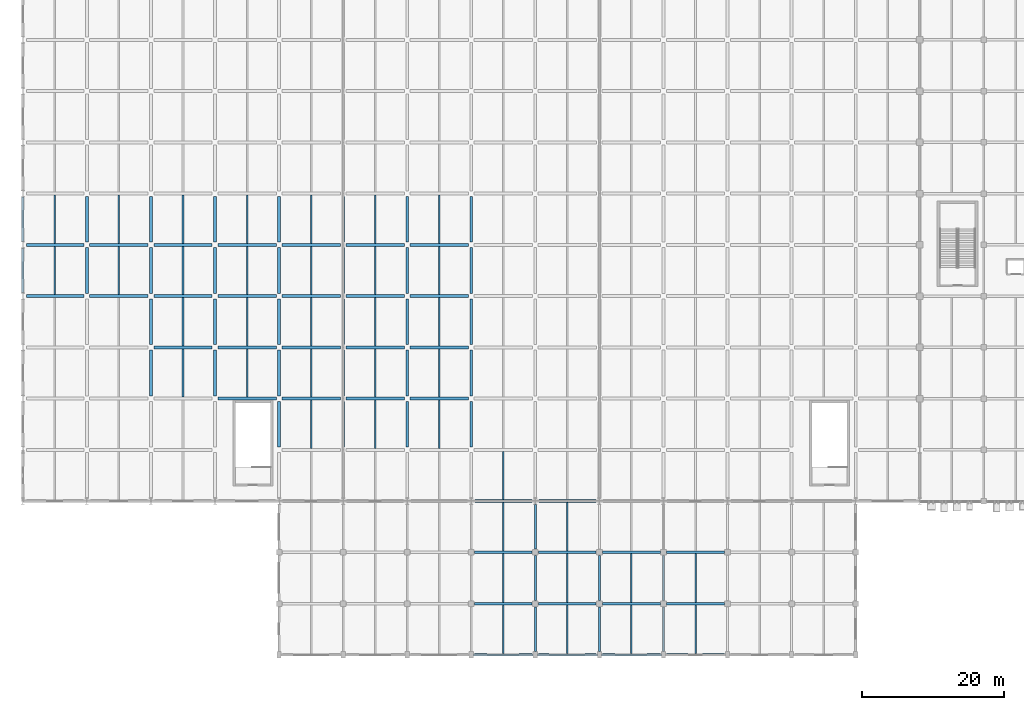
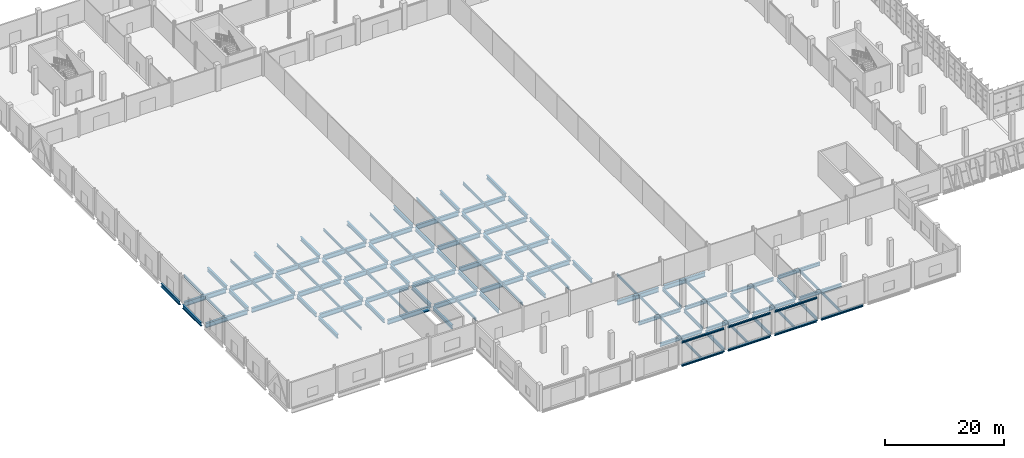
# One storey, part 18 of 137: 117 beams.
"""IFC4 building model written with IfcOpenShell, lengths in metres."""

from ifc_helpers import new_model, si_unit, direction, frame, origin, origin_2d, place, context, subcontext, project, spatial, i_section, extrude, material, material_profile, profile_set, type_object, element, save


model = new_model("IFC4")

# Units and contexts
model_context = context("Model", 3, precision=1e-05, world=origin(), true_north=direction((0.0, 1.0)))
body_context = subcontext(model_context, "Body", "Model", "MODEL_VIEW")
ifc_project = project(units=[si_unit("LENGTHUNIT", "METRE"), si_unit("AREAUNIT", "SQUARE_METRE"), si_unit("VOLUMEUNIT", "CUBIC_METRE"), si_unit("PLANEANGLEUNIT", "RADIAN"), si_unit("MASSUNIT", "GRAM", prefix="KILO")], contexts=[model_context])

# Site, building, storey
site_placement = place(None, origin())
site = spatial("IfcSite", under=ifc_project, at=site_placement, CompositionType="ELEMENT")
building_placement = place(site_placement, origin())
building = spatial("IfcBuilding", under=site, at=building_placement, Name="Celestram Park Convention Centre", CompositionType="ELEMENT")
storey_placement = place(building_placement, origin())
storey = spatial("IfcBuildingStorey", under=building, at=storey_placement, Name="L00", CompositionType="ELEMENT", Elevation=0.0)

# Beams
ifc_material = material(Name="Steel ASTM A992 Grade 50", Category="steel")
ifc_material_profile_1 = material_profile(ifc_material, i_section(OverallWidth=0.35595703125, OverallDepth=0.696044921875, WebThickness=0.015380859375, FlangeThickness=0.02490234375, at=origin_2d()), Name="W27X146")
ifc_profile_set_1 = profile_set([ifc_material_profile_1], Name="Steel ASTM A992 Grade 50")
beam_type_1 = type_object("IfcBeamType", Name="STR-BM-W27X146", PredefinedType="BEAM", material=ifc_profile_set_1)
for number, where, z_axis, x_axis, name in (
    (1, (63.447998046875, 7.199951171875, -0.66796875), (1.0, 0.0, 0.0), (0.0, 1.0, 0.0), "Primary X-girder BG-L00-0271"),
    (2, (63.447998046875, 14.39990234375, -0.66796875), (1.0, 0.0, 0.0), (0.0, 1.0, 0.0), "Primary X-girder BG-L00-0273"),
    (3, (72.447998046875, 7.199951171875, -0.66796875), (1.0, 0.0, 0.0), (0.0, 1.0, 0.0), "Primary X-girder BG-L00-0316"),
    (4, (72.447998046875, 14.39990234375, -0.66796875), (1.0, 0.0, 0.0), (0.0, 1.0, 0.0), "Primary X-girder BG-L00-0318"),
    (5, (81.447998046875, 7.199951171875, -0.66796875), (1.0, 0.0, 0.0), (0.0, 1.0, 0.0), "Primary X-girder BG-L00-0363"),
    (6, (81.447998046875, 14.39990234375, -0.66796875), (1.0, 0.0, 0.0), (0.0, 1.0, 0.0), "Primary X-girder BG-L00-0365"),
    (7, (90.447998046875, 7.199951171875, -0.66796875), (1.0, 0.0, 0.0), (0.0, 1.0, 0.0), "Primary X-girder BG-L00-0408"),
    (8, (90.447998046875, 14.39990234375, -0.66796875), (1.0, 0.0, 0.0), (0.0, 1.0, 0.0), "Primary X-girder BG-L00-0410"),
):
    element("IfcBeam", number, at=place(storey_placement, frame(where, z_axis=z_axis, x_axis=x_axis)), inside=storey, type_object=beam_type_1, Name=name, PredefinedType="BEAM", context=body_context, shape_type="SweptSolid", body=[
        extrude(i_section(OverallWidth=0.35595703125, OverallDepth=0.696044921875, WebThickness=0.015380859375, FlangeThickness=0.02490234375, at=origin_2d()), origin(), (0.0, 0.0, 1.0), 8.10400390625),
    ])
ifc_material_profile_2 = material_profile(ifc_material, i_section(OverallWidth=0.25390625, OverallDepth=0.68310546875, WebThickness=0.012451171875, FlangeThickness=0.01904296875, at=origin_2d()), Name="W27X94")
ifc_profile_set_2 = profile_set([ifc_material_profile_2], Name="Steel ASTM A992 Grade 50")
beam_type_2 = type_object("IfcBeamType", Name="STR-BM-W27X94", PredefinedType="BEAM", material=ifc_profile_set_2)
for number, where, z_axis, x_axis, name in (
    (9, (72.0, 0.447998046875, -0.66162109375), (0.0, 1.0, 0.0), (-1.0, 0.0, 0.0), "Primary Y-girder BG-L00-0315"),
    (10, (72.0, 7.64794921875, -0.66162109375), (0.0, 1.0, 0.0), (-1.0, 0.0, 0.0), "Primary Y-girder BG-L00-0317"),
):
    element("IfcBeam", number, at=place(storey_placement, frame(where, z_axis=z_axis, x_axis=x_axis)), inside=storey, type_object=beam_type_2, Name=name, PredefinedType="BEAM", context=body_context, shape_type="SweptSolid", body=[
        extrude(i_section(OverallWidth=0.25390625, OverallDepth=0.68310546875, WebThickness=0.012451171875, FlangeThickness=0.01904296875, at=origin_2d()), origin(), (0.0, 0.0, 1.0), 6.303955078125),
    ])
beam_1_placement = place(storey_placement, frame((72.0, 14.847900390625, -0.66162109375), z_axis=(0.0, 1.0, 0.0), x_axis=(-1.0, 0.0, 0.0)))
element("IfcBeam", 11, at=beam_1_placement, inside=storey, type_object=beam_type_2, Name="Primary Y-girder BG-L00-0319", PredefinedType="BEAM", context=body_context, shape_type="SweptSolid", body=[
    extrude(i_section(OverallWidth=0.25390625, OverallDepth=0.68310546875, WebThickness=0.012451171875, FlangeThickness=0.01904296875, at=origin_2d()), origin(), (0.0, 0.0, 1.0), 6.254150390625),
])
for number, where, z_axis, x_axis, name in (
    (12, (81.0, 0.447998046875, -0.66162109375), (0.0, 1.0, 0.0), (-1.0, 0.0, 0.0), "Primary Y-girder BG-L00-0362"),
    (13, (81.0, 7.64794921875, -0.66162109375), (0.0, 1.0, 0.0), (-1.0, 0.0, 0.0), "Primary Y-girder BG-L00-0364"),
    (14, (90.0, 0.447998046875, -0.66162109375), (0.0, 1.0, 0.0), (-1.0, 0.0, 0.0), "Primary Y-girder BG-L00-0407"),
    (15, (90.0, 7.64794921875, -0.66162109375), (0.0, 1.0, 0.0), (-1.0, 0.0, 0.0), "Primary Y-girder BG-L00-0409"),
):
    element("IfcBeam", number, at=place(storey_placement, frame(where, z_axis=z_axis, x_axis=x_axis)), inside=storey, type_object=beam_type_2, Name=name, PredefinedType="BEAM", context=body_context, shape_type="SweptSolid", body=[
        extrude(i_section(OverallWidth=0.25390625, OverallDepth=0.68310546875, WebThickness=0.012451171875, FlangeThickness=0.01904296875, at=origin_2d()), origin(), (0.0, 0.0, 1.0), 6.303955078125),
    ])
ifc_material_profile_3 = material_profile(ifc_material, i_section(OverallWidth=0.381103515625, OverallDepth=0.77197265625, WebThickness=0.0166015625, FlangeThickness=0.027099609375, at=origin_2d()), Name="W30X173")
ifc_profile_set_3 = profile_set([ifc_material_profile_3], Name="Steel ASTM A992 Grade 50")
beam_type_3 = type_object("IfcBeamType", Name="STR-BM-W30X173", PredefinedType="BEAM", material=ifc_profile_set_3)
for number, where, z_axis, x_axis, name in (
    (16, (0.0, 50.89794921875, -0.74609375), (0.0, 1.0, 0.0), (-1.0, 0.0, 0.0), "Primary Y-girder BG-L00-0010"),
    (17, (0.0, 58.097900390625, -0.74609375), (0.0, 1.0, 0.0), (-1.0, 0.0, 0.0), "Primary Y-girder BG-L00-0012"),
):
    element("IfcBeam", number, at=place(storey_placement, frame(where, z_axis=z_axis, x_axis=x_axis)), inside=storey, type_object=beam_type_3, Name=name, PredefinedType="BEAM", context=body_context, shape_type="SweptSolid", body=[
        extrude(i_section(OverallWidth=0.381103515625, OverallDepth=0.77197265625, WebThickness=0.0166015625, FlangeThickness=0.027099609375, at=origin_2d()), origin(), (0.0, 0.0, 1.0), 6.2041015625),
    ])
beam_2_placement = place(storey_placement, frame((9.0, 50.798095703125, -0.74609375), z_axis=(0.0, 1.0, 0.0), x_axis=(-1.0, 0.0, 0.0)))
element("IfcBeam", 18, at=beam_2_placement, inside=storey, type_object=beam_type_3, Name="Primary Y-girder BG-L00-0043", PredefinedType="BEAM", context=body_context, shape_type="SweptSolid", body=[
    extrude(i_section(OverallWidth=0.381103515625, OverallDepth=0.77197265625, WebThickness=0.0166015625, FlangeThickness=0.027099609375, at=origin_2d()), origin(), (0.0, 0.0, 1.0), 6.40380859375),
])
for number, where, z_axis, x_axis, name in (
    (19, (9.0, 57.998046875, -0.74609375), (0.0, 1.0, 0.0), (-1.0, 0.0, 0.0), "Primary Y-girder BG-L00-0045"),
    (20, (18.0, 36.39794921875, -0.74609375), (0.0, 1.0, 0.0), (-1.0, 0.0, 0.0), "Primary Y-girder BG-L00-0071"),
    (21, (18.0, 43.597900390625, -0.74609375), (0.0, 1.0, 0.0), (-1.0, 0.0, 0.0), "Primary Y-girder BG-L00-0073"),
):
    element("IfcBeam", number, at=place(storey_placement, frame(where, z_axis=z_axis, x_axis=x_axis)), inside=storey, type_object=beam_type_3, Name=name, PredefinedType="BEAM", context=body_context, shape_type="SweptSolid", body=[
        extrude(i_section(OverallWidth=0.381103515625, OverallDepth=0.77197265625, WebThickness=0.0166015625, FlangeThickness=0.027099609375, at=origin_2d()), origin(), (0.0, 0.0, 1.0), 6.404052734375),
    ])
beam_3_placement = place(storey_placement, frame((18.0, 50.798095703125, -0.74609375), z_axis=(0.0, 1.0, 0.0), x_axis=(-1.0, 0.0, 0.0)))
element("IfcBeam", 22, at=beam_3_placement, inside=storey, type_object=beam_type_3, Name="Primary Y-girder BG-L00-0075", PredefinedType="BEAM", context=body_context, shape_type="SweptSolid", body=[
    extrude(i_section(OverallWidth=0.381103515625, OverallDepth=0.77197265625, WebThickness=0.0166015625, FlangeThickness=0.027099609375, at=origin_2d()), origin(), (0.0, 0.0, 1.0), 6.40380859375),
])
for number, where, z_axis, x_axis, name in (
    (23, (18.0, 57.998046875, -0.74609375), (0.0, 1.0, 0.0), (-1.0, 0.0, 0.0), "Primary Y-girder BG-L00-0077"),
    (24, (27.0, 36.39794921875, -0.74609375), (0.0, 1.0, 0.0), (-1.0, 0.0, 0.0), "Primary Y-girder BG-L00-0103"),
    (25, (27.0, 43.597900390625, -0.74609375), (0.0, 1.0, 0.0), (-1.0, 0.0, 0.0), "Primary Y-girder BG-L00-0105"),
):
    element("IfcBeam", number, at=place(storey_placement, frame(where, z_axis=z_axis, x_axis=x_axis)), inside=storey, type_object=beam_type_3, Name=name, PredefinedType="BEAM", context=body_context, shape_type="SweptSolid", body=[
        extrude(i_section(OverallWidth=0.381103515625, OverallDepth=0.77197265625, WebThickness=0.0166015625, FlangeThickness=0.027099609375, at=origin_2d()), origin(), (0.0, 0.0, 1.0), 6.404052734375),
    ])
beam_4_placement = place(storey_placement, frame((27.0, 50.798095703125, -0.74609375), z_axis=(0.0, 1.0, 0.0), x_axis=(-1.0, 0.0, 0.0)))
element("IfcBeam", 26, at=beam_4_placement, inside=storey, type_object=beam_type_3, Name="Primary Y-girder BG-L00-0107", PredefinedType="BEAM", context=body_context, shape_type="SweptSolid", body=[
    extrude(i_section(OverallWidth=0.381103515625, OverallDepth=0.77197265625, WebThickness=0.0166015625, FlangeThickness=0.027099609375, at=origin_2d()), origin(), (0.0, 0.0, 1.0), 6.40380859375),
])
for number, where, z_axis, x_axis, name in (
    (27, (27.0, 57.998046875, -0.74609375), (0.0, 1.0, 0.0), (-1.0, 0.0, 0.0), "Primary Y-girder BG-L00-0109"),
    (28, (36.0, 29.197998046875, -0.74609375), (0.0, 1.0, 0.0), (-1.0, 0.0, 0.0), "Primary Y-girder BG-L00-0140"),
    (29, (36.0, 36.39794921875, -0.74609375), (0.0, 1.0, 0.0), (-1.0, 0.0, 0.0), "Primary Y-girder BG-L00-0142"),
    (30, (36.0, 43.597900390625, -0.74609375), (0.0, 1.0, 0.0), (-1.0, 0.0, 0.0), "Primary Y-girder BG-L00-0144"),
):
    element("IfcBeam", number, at=place(storey_placement, frame(where, z_axis=z_axis, x_axis=x_axis)), inside=storey, type_object=beam_type_3, Name=name, PredefinedType="BEAM", context=body_context, shape_type="SweptSolid", body=[
        extrude(i_section(OverallWidth=0.381103515625, OverallDepth=0.77197265625, WebThickness=0.0166015625, FlangeThickness=0.027099609375, at=origin_2d()), origin(), (0.0, 0.0, 1.0), 6.404052734375),
    ])
beam_5_placement = place(storey_placement, frame((36.0, 50.798095703125, -0.74609375), z_axis=(0.0, 1.0, 0.0), x_axis=(-1.0, 0.0, 0.0)))
element("IfcBeam", 31, at=beam_5_placement, inside=storey, type_object=beam_type_3, Name="Primary Y-girder BG-L00-0146", PredefinedType="BEAM", context=body_context, shape_type="SweptSolid", body=[
    extrude(i_section(OverallWidth=0.381103515625, OverallDepth=0.77197265625, WebThickness=0.0166015625, FlangeThickness=0.027099609375, at=origin_2d()), origin(), (0.0, 0.0, 1.0), 6.40380859375),
])
for number, where, z_axis, x_axis, name in (
    (32, (36.0, 57.998046875, -0.74609375), (0.0, 1.0, 0.0), (-1.0, 0.0, 0.0), "Primary Y-girder BG-L00-0148"),
    (33, (45.0, 29.197998046875, -0.74609375), (0.0, 1.0, 0.0), (-1.0, 0.0, 0.0), "Primary Y-girder BG-L00-0184"),
    (34, (45.0, 36.39794921875, -0.74609375), (0.0, 1.0, 0.0), (-1.0, 0.0, 0.0), "Primary Y-girder BG-L00-0186"),
    (35, (45.0, 43.597900390625, -0.74609375), (0.0, 1.0, 0.0), (-1.0, 0.0, 0.0), "Primary Y-girder BG-L00-0188"),
):
    element("IfcBeam", number, at=place(storey_placement, frame(where, z_axis=z_axis, x_axis=x_axis)), inside=storey, type_object=beam_type_3, Name=name, PredefinedType="BEAM", context=body_context, shape_type="SweptSolid", body=[
        extrude(i_section(OverallWidth=0.381103515625, OverallDepth=0.77197265625, WebThickness=0.0166015625, FlangeThickness=0.027099609375, at=origin_2d()), origin(), (0.0, 0.0, 1.0), 6.404052734375),
    ])
beam_6_placement = place(storey_placement, frame((45.0, 50.798095703125, -0.74609375), z_axis=(0.0, 1.0, 0.0), x_axis=(-1.0, 0.0, 0.0)))
element("IfcBeam", 36, at=beam_6_placement, inside=storey, type_object=beam_type_3, Name="Primary Y-girder BG-L00-0190", PredefinedType="BEAM", context=body_context, shape_type="SweptSolid", body=[
    extrude(i_section(OverallWidth=0.381103515625, OverallDepth=0.77197265625, WebThickness=0.0166015625, FlangeThickness=0.027099609375, at=origin_2d()), origin(), (0.0, 0.0, 1.0), 6.40380859375),
])
for number, where, z_axis, x_axis, name in (
    (37, (45.0, 57.998046875, -0.74609375), (0.0, 1.0, 0.0), (-1.0, 0.0, 0.0), "Primary Y-girder BG-L00-0192"),
    (38, (54.0, 29.197998046875, -0.74609375), (0.0, 1.0, 0.0), (-1.0, 0.0, 0.0), "Primary Y-girder BG-L00-0231"),
    (39, (54.0, 36.39794921875, -0.74609375), (0.0, 1.0, 0.0), (-1.0, 0.0, 0.0), "Primary Y-girder BG-L00-0233"),
    (40, (54.0, 43.597900390625, -0.74609375), (0.0, 1.0, 0.0), (-1.0, 0.0, 0.0), "Primary Y-girder BG-L00-0235"),
):
    element("IfcBeam", number, at=place(storey_placement, frame(where, z_axis=z_axis, x_axis=x_axis)), inside=storey, type_object=beam_type_3, Name=name, PredefinedType="BEAM", context=body_context, shape_type="SweptSolid", body=[
        extrude(i_section(OverallWidth=0.381103515625, OverallDepth=0.77197265625, WebThickness=0.0166015625, FlangeThickness=0.027099609375, at=origin_2d()), origin(), (0.0, 0.0, 1.0), 6.404052734375),
    ])
beam_7_placement = place(storey_placement, frame((54.0, 50.798095703125, -0.74609375), z_axis=(0.0, 1.0, 0.0), x_axis=(-1.0, 0.0, 0.0)))
element("IfcBeam", 41, at=beam_7_placement, inside=storey, type_object=beam_type_3, Name="Primary Y-girder BG-L00-0237", PredefinedType="BEAM", context=body_context, shape_type="SweptSolid", body=[
    extrude(i_section(OverallWidth=0.381103515625, OverallDepth=0.77197265625, WebThickness=0.0166015625, FlangeThickness=0.027099609375, at=origin_2d()), origin(), (0.0, 0.0, 1.0), 6.40380859375),
])
for number, where, z_axis, x_axis, name in (
    (42, (54.0, 57.998046875, -0.74609375), (0.0, 1.0, 0.0), (-1.0, 0.0, 0.0), "Primary Y-girder BG-L00-0239"),
    (43, (63.0, 29.197998046875, -0.74609375), (0.0, 1.0, 0.0), (-1.0, 0.0, 0.0), "Primary Y-girder BG-L00-0278"),
    (44, (63.0, 36.39794921875, -0.74609375), (0.0, 1.0, 0.0), (-1.0, 0.0, 0.0), "Primary Y-girder BG-L00-0280"),
    (45, (63.0, 43.597900390625, -0.74609375), (0.0, 1.0, 0.0), (-1.0, 0.0, 0.0), "Primary Y-girder BG-L00-0282"),
):
    element("IfcBeam", number, at=place(storey_placement, frame(where, z_axis=z_axis, x_axis=x_axis)), inside=storey, type_object=beam_type_3, Name=name, PredefinedType="BEAM", context=body_context, shape_type="SweptSolid", body=[
        extrude(i_section(OverallWidth=0.381103515625, OverallDepth=0.77197265625, WebThickness=0.0166015625, FlangeThickness=0.027099609375, at=origin_2d()), origin(), (0.0, 0.0, 1.0), 6.404052734375),
    ])
beam_8_placement = place(storey_placement, frame((63.0, 50.798095703125, -0.74609375), z_axis=(0.0, 1.0, 0.0), x_axis=(-1.0, 0.0, 0.0)))
element("IfcBeam", 46, at=beam_8_placement, inside=storey, type_object=beam_type_3, Name="Primary Y-girder BG-L00-0284", PredefinedType="BEAM", context=body_context, shape_type="SweptSolid", body=[
    extrude(i_section(OverallWidth=0.381103515625, OverallDepth=0.77197265625, WebThickness=0.0166015625, FlangeThickness=0.027099609375, at=origin_2d()), origin(), (0.0, 0.0, 1.0), 6.40380859375),
])
beam_9_placement = place(storey_placement, frame((63.0, 57.998046875, -0.74609375), z_axis=(0.0, 1.0, 0.0), x_axis=(-1.0, 0.0, 0.0)))
element("IfcBeam", 47, at=beam_9_placement, inside=storey, type_object=beam_type_3, Name="Primary Y-girder BG-L00-0286", PredefinedType="BEAM", context=body_context, shape_type="SweptSolid", body=[
    extrude(i_section(OverallWidth=0.381103515625, OverallDepth=0.77197265625, WebThickness=0.0166015625, FlangeThickness=0.027099609375, at=origin_2d()), origin(), (0.0, 0.0, 1.0), 6.404052734375),
])
ifc_material_profile_4 = material_profile(ifc_material, i_section(OverallWidth=0.4189453125, OverallDepth=0.927001953125, WebThickness=0.019287109375, FlangeThickness=0.031982421875, at=origin_2d()), Name="W36X231")
ifc_profile_set_4 = profile_set([ifc_material_profile_4], Name="Steel ASTM A992 Grade 50")
beam_type_4 = type_object("IfcBeamType", Name="STR-BM-W36X231", PredefinedType="BEAM", material=ifc_profile_set_4)
for number, where, z_axis, x_axis, name in (
    (48, (0.498046875, 50.39990234375, -0.823486328125), (1.0, 0.0, 0.0), (0.0, 1.0, 0.0), "Primary X-girder BG-L00-0009"),
    (49, (0.498046875, 57.60009765625, -0.823486328125), (1.0, 0.0, 0.0), (0.0, 1.0, 0.0), "Primary X-girder BG-L00-0011"),
):
    element("IfcBeam", number, at=place(storey_placement, frame(where, z_axis=z_axis, x_axis=x_axis)), inside=storey, type_object=beam_type_4, Name=name, PredefinedType="BEAM", context=body_context, shape_type="SweptSolid", body=[
        extrude(i_section(OverallWidth=0.4189453125, OverallDepth=0.927001953125, WebThickness=0.019287109375, FlangeThickness=0.031982421875, at=origin_2d()), origin(), (0.0, 0.0, 1.0), 8.10400390625),
    ])
for number, where, z_axis, x_axis, name in (
    (50, (9.39794921875, 50.39990234375, -0.823486328125), (1.0, 0.0, 0.0), (0.0, 1.0, 0.0), "Primary X-girder BG-L00-0042"),
    (51, (9.39794921875, 57.60009765625, -0.823486328125), (1.0, 0.0, 0.0), (0.0, 1.0, 0.0), "Primary X-girder BG-L00-0044"),
    (52, (18.39794921875, 43.199951171875, -0.823486328125), (1.0, 0.0, 0.0), (0.0, 1.0, 0.0), "Primary X-girder BG-L00-0072"),
    (53, (18.39794921875, 50.39990234375, -0.823486328125), (1.0, 0.0, 0.0), (0.0, 1.0, 0.0), "Primary X-girder BG-L00-0074"),
    (54, (18.39794921875, 57.60009765625, -0.823486328125), (1.0, 0.0, 0.0), (0.0, 1.0, 0.0), "Primary X-girder BG-L00-0076"),
    (55, (27.39794921875, 36.0, -0.823486328125), (1.0, 0.0, 0.0), (0.0, 1.0, 0.0), "Primary X-girder BG-L00-0102"),
    (56, (27.39794921875, 43.199951171875, -0.823486328125), (1.0, 0.0, 0.0), (0.0, 1.0, 0.0), "Primary X-girder BG-L00-0104"),
    (57, (27.39794921875, 50.39990234375, -0.823486328125), (1.0, 0.0, 0.0), (0.0, 1.0, 0.0), "Primary X-girder BG-L00-0106"),
    (58, (27.39794921875, 57.60009765625, -0.823486328125), (1.0, 0.0, 0.0), (0.0, 1.0, 0.0), "Primary X-girder BG-L00-0108"),
    (59, (36.39794921875, 36.0, -0.823486328125), (1.0, 0.0, 0.0), (0.0, 1.0, 0.0), "Primary X-girder BG-L00-0141"),
    (60, (36.39794921875, 43.199951171875, -0.823486328125), (1.0, 0.0, 0.0), (0.0, 1.0, 0.0), "Primary X-girder BG-L00-0143"),
    (61, (36.39794921875, 50.39990234375, -0.823486328125), (1.0, 0.0, 0.0), (0.0, 1.0, 0.0), "Primary X-girder BG-L00-0145"),
    (62, (36.39794921875, 57.60009765625, -0.823486328125), (1.0, 0.0, 0.0), (0.0, 1.0, 0.0), "Primary X-girder BG-L00-0147"),
    (63, (45.39794921875, 36.0, -0.823486328125), (1.0, 0.0, 0.0), (0.0, 1.0, 0.0), "Primary X-girder BG-L00-0185"),
    (64, (45.39794921875, 43.199951171875, -0.823486328125), (1.0, 0.0, 0.0), (0.0, 1.0, 0.0), "Primary X-girder BG-L00-0187"),
    (65, (45.39794921875, 50.39990234375, -0.823486328125), (1.0, 0.0, 0.0), (0.0, 1.0, 0.0), "Primary X-girder BG-L00-0189"),
    (66, (45.39794921875, 57.60009765625, -0.823486328125), (1.0, 0.0, 0.0), (0.0, 1.0, 0.0), "Primary X-girder BG-L00-0191"),
    (67, (54.39794921875, 36.0, -0.823486328125), (1.0, 0.0, 0.0), (0.0, 1.0, 0.0), "Primary X-girder BG-L00-0232"),
    (68, (54.39794921875, 43.199951171875, -0.823486328125), (1.0, 0.0, 0.0), (0.0, 1.0, 0.0), "Primary X-girder BG-L00-0234"),
    (69, (54.39794921875, 50.39990234375, -0.823486328125), (1.0, 0.0, 0.0), (0.0, 1.0, 0.0), "Primary X-girder BG-L00-0236"),
    (70, (54.39794921875, 57.60009765625, -0.823486328125), (1.0, 0.0, 0.0), (0.0, 1.0, 0.0), "Primary X-girder BG-L00-0238"),
):
    element("IfcBeam", number, at=place(storey_placement, frame(where, z_axis=z_axis, x_axis=x_axis)), inside=storey, type_object=beam_type_4, Name=name, PredefinedType="BEAM", context=body_context, shape_type="SweptSolid", body=[
        extrude(i_section(OverallWidth=0.4189453125, OverallDepth=0.927001953125, WebThickness=0.019287109375, FlangeThickness=0.031982421875, at=origin_2d()), origin(), (0.0, 0.0, 1.0), 8.2041015625),
    ])
for number, where, z_axis, x_axis, name in (
    (71, (63.498046875, 21.60009765625, -0.823486328125), (1.0, 0.0, 0.0), (0.0, 1.0, 0.0), "Primary X-girder BG-L00-0275"),
    (72, (72.498046875, 21.60009765625, -0.823486328125), (1.0, 0.0, 0.0), (0.0, 1.0, 0.0), "Primary X-girder BG-L00-0320"),
):
    element("IfcBeam", number, at=place(storey_placement, frame(where, z_axis=z_axis, x_axis=x_axis)), inside=storey, type_object=beam_type_4, Name=name, PredefinedType="BEAM", context=body_context, shape_type="SweptSolid", body=[
        extrude(i_section(OverallWidth=0.4189453125, OverallDepth=0.927001953125, WebThickness=0.019287109375, FlangeThickness=0.031982421875, at=origin_2d()), origin(), (0.0, 0.0, 1.0), 8.00390625),
    ])
ifc_material_profile_5 = material_profile(ifc_material, i_section(OverallWidth=0.2099609375, OverallDepth=0.532958984375, WebThickness=0.01025390625, FlangeThickness=0.015625, at=origin_2d()), Name="W21X62")
ifc_profile_set_5 = profile_set([ifc_material_profile_5], Name="Steel ASTM A992 Grade 50")
beam_type_5 = type_object("IfcBeamType", Name="STR-JST-W21X62", PredefinedType="JOIST", material=ifc_profile_set_5)
beam_10_placement = place(storey_placement, frame((67.5, 0.181884765625, -0.58642578125), z_axis=(0.0, 1.0, 0.0), x_axis=(-1.0, 0.0, 0.0)))
element("IfcBeam", 73, at=beam_10_placement, inside=storey, type_object=beam_type_5, Name="Secondary composite joist BG-L00-1003", PredefinedType="JOIST", context=body_context, shape_type="SweptSolid", body=[
    extrude(i_section(OverallWidth=0.2099609375, OverallDepth=0.532958984375, WebThickness=0.01025390625, FlangeThickness=0.015625, at=origin_2d()), origin(), (0.0, 0.0, 1.0), 6.843994140625),
])
beam_11_placement = place(storey_placement, frame((67.5, 7.3740234375, -0.58642578125), z_axis=(0.0, 1.0, 0.0), x_axis=(-1.0, 0.0, 0.0)))
element("IfcBeam", 74, at=beam_11_placement, inside=storey, type_object=beam_type_5, Name="Secondary composite joist BG-L00-1004", PredefinedType="JOIST", context=body_context, shape_type="SweptSolid", body=[
    extrude(i_section(OverallWidth=0.2099609375, OverallDepth=0.532958984375, WebThickness=0.01025390625, FlangeThickness=0.015625, at=origin_2d()), origin(), (0.0, 0.0, 1.0), 6.85205078125),
])
beam_12_placement = place(storey_placement, frame((67.5, 14.573974609375, -0.58642578125), z_axis=(0.0, 1.0, 0.0), x_axis=(-1.0, 0.0, 0.0)))
element("IfcBeam", 75, at=beam_12_placement, inside=storey, type_object=beam_type_5, Name="Secondary composite joist BG-L00-1005", PredefinedType="JOIST", context=body_context, shape_type="SweptSolid", body=[
    extrude(i_section(OverallWidth=0.2099609375, OverallDepth=0.532958984375, WebThickness=0.01025390625, FlangeThickness=0.015625, at=origin_2d()), origin(), (0.0, 0.0, 1.0), 6.821044921875),
])
beam_13_placement = place(storey_placement, frame((76.5, 0.181884765625, -0.58642578125), z_axis=(0.0, 1.0, 0.0), x_axis=(-1.0, 0.0, 0.0)))
element("IfcBeam", 76, at=beam_13_placement, inside=storey, type_object=beam_type_5, Name="Secondary composite joist BG-L00-1023", PredefinedType="JOIST", context=body_context, shape_type="SweptSolid", body=[
    extrude(i_section(OverallWidth=0.2099609375, OverallDepth=0.532958984375, WebThickness=0.01025390625, FlangeThickness=0.015625, at=origin_2d()), origin(), (0.0, 0.0, 1.0), 6.843994140625),
])
beam_14_placement = place(storey_placement, frame((76.5, 7.3740234375, -0.58642578125), z_axis=(0.0, 1.0, 0.0), x_axis=(-1.0, 0.0, 0.0)))
element("IfcBeam", 77, at=beam_14_placement, inside=storey, type_object=beam_type_5, Name="Secondary composite joist BG-L00-1024", PredefinedType="JOIST", context=body_context, shape_type="SweptSolid", body=[
    extrude(i_section(OverallWidth=0.2099609375, OverallDepth=0.532958984375, WebThickness=0.01025390625, FlangeThickness=0.015625, at=origin_2d()), origin(), (0.0, 0.0, 1.0), 6.85205078125),
])
beam_15_placement = place(storey_placement, frame((76.5, 14.573974609375, -0.58642578125), z_axis=(0.0, 1.0, 0.0), x_axis=(-1.0, 0.0, 0.0)))
element("IfcBeam", 78, at=beam_15_placement, inside=storey, type_object=beam_type_5, Name="Secondary composite joist BG-L00-1025", PredefinedType="JOIST", context=body_context, shape_type="SweptSolid", body=[
    extrude(i_section(OverallWidth=0.2099609375, OverallDepth=0.532958984375, WebThickness=0.01025390625, FlangeThickness=0.015625, at=origin_2d()), origin(), (0.0, 0.0, 1.0), 6.821044921875),
])
beam_16_placement = place(storey_placement, frame((85.5, 0.181884765625, -0.58642578125), z_axis=(0.0, 1.0, 0.0), x_axis=(-1.0, 0.0, 0.0)))
element("IfcBeam", 79, at=beam_16_placement, inside=storey, type_object=beam_type_5, Name="Secondary composite joist BG-L00-1046", PredefinedType="JOIST", context=body_context, shape_type="SweptSolid", body=[
    extrude(i_section(OverallWidth=0.2099609375, OverallDepth=0.532958984375, WebThickness=0.01025390625, FlangeThickness=0.015625, at=origin_2d()), origin(), (0.0, 0.0, 1.0), 6.843994140625),
])
beam_17_placement = place(storey_placement, frame((85.5, 7.3740234375, -0.58642578125), z_axis=(0.0, 1.0, 0.0), x_axis=(-1.0, 0.0, 0.0)))
element("IfcBeam", 80, at=beam_17_placement, inside=storey, type_object=beam_type_5, Name="Secondary composite joist BG-L00-1047", PredefinedType="JOIST", context=body_context, shape_type="SweptSolid", body=[
    extrude(i_section(OverallWidth=0.2099609375, OverallDepth=0.532958984375, WebThickness=0.01025390625, FlangeThickness=0.015625, at=origin_2d()), origin(), (0.0, 0.0, 1.0), 6.85205078125),
])
beam_18_placement = place(storey_placement, frame((94.5, 0.181884765625, -0.58642578125), z_axis=(0.0, 1.0, 0.0), x_axis=(-1.0, 0.0, 0.0)))
element("IfcBeam", 81, at=beam_18_placement, inside=storey, type_object=beam_type_5, Name="Secondary composite joist BG-L00-1066", PredefinedType="JOIST", context=body_context, shape_type="SweptSolid", body=[
    extrude(i_section(OverallWidth=0.2099609375, OverallDepth=0.532958984375, WebThickness=0.01025390625, FlangeThickness=0.015625, at=origin_2d()), origin(), (0.0, 0.0, 1.0), 6.843994140625),
])
beam_19_placement = place(storey_placement, frame((94.5, 7.3740234375, -0.58642578125), z_axis=(0.0, 1.0, 0.0), x_axis=(-1.0, 0.0, 0.0)))
element("IfcBeam", 82, at=beam_19_placement, inside=storey, type_object=beam_type_5, Name="Secondary composite joist BG-L00-1067", PredefinedType="JOIST", context=body_context, shape_type="SweptSolid", body=[
    extrude(i_section(OverallWidth=0.2099609375, OverallDepth=0.532958984375, WebThickness=0.01025390625, FlangeThickness=0.015625, at=origin_2d()), origin(), (0.0, 0.0, 1.0), 6.85205078125),
])
ifc_material_profile_6 = material_profile(ifc_material, i_section(OverallWidth=0.214111328125, OverallDepth=0.549072265625, WebThickness=0.0146484375, FlangeThickness=0.023681640625, at=origin_2d()), Name="W21X93")
ifc_profile_set_6 = profile_set([ifc_material_profile_6], Name="Steel ASTM A992 Grade 50")
beam_type_6 = type_object("IfcBeamType", Name="STR-JST-W21X93", PredefinedType="JOIST", material=ifc_profile_set_6)
for number, where, z_axis, x_axis, name in (
    (83, (4.5, 50.60498046875, -0.634521484375), (0.0, 1.0, 0.0), (-1.0, 0.0, 0.0), "Secondary composite joist BG-L00-0884"),
    (84, (4.5, 57.804931640625, -0.634521484375), (0.0, 1.0, 0.0), (-1.0, 0.0, 0.0), "Secondary composite joist BG-L00-0885"),
    (85, (13.5, 50.60498046875, -0.634521484375), (0.0, 1.0, 0.0), (-1.0, 0.0, 0.0), "Secondary composite joist BG-L00-0900"),
    (86, (13.5, 57.804931640625, -0.634521484375), (0.0, 1.0, 0.0), (-1.0, 0.0, 0.0), "Secondary composite joist BG-L00-0901"),
    (87, (22.5, 36.205078125, -0.634521484375), (0.0, 1.0, 0.0), (-1.0, 0.0, 0.0), "Secondary composite joist BG-L00-0912"),
    (88, (22.5, 43.405029296875, -0.634521484375), (0.0, 1.0, 0.0), (-1.0, 0.0, 0.0), "Secondary composite joist BG-L00-0913"),
    (89, (22.5, 50.60498046875, -0.634521484375), (0.0, 1.0, 0.0), (-1.0, 0.0, 0.0), "Secondary composite joist BG-L00-0914"),
    (90, (22.5, 57.804931640625, -0.634521484375), (0.0, 1.0, 0.0), (-1.0, 0.0, 0.0), "Secondary composite joist BG-L00-0915"),
    (91, (31.5, 36.205078125, -0.634521484375), (0.0, 1.0, 0.0), (-1.0, 0.0, 0.0), "Secondary composite joist BG-L00-0926"),
    (92, (31.5, 43.405029296875, -0.634521484375), (0.0, 1.0, 0.0), (-1.0, 0.0, 0.0), "Secondary composite joist BG-L00-0927"),
    (93, (31.5, 50.60498046875, -0.634521484375), (0.0, 1.0, 0.0), (-1.0, 0.0, 0.0), "Secondary composite joist BG-L00-0928"),
    (94, (31.5, 57.804931640625, -0.634521484375), (0.0, 1.0, 0.0), (-1.0, 0.0, 0.0), "Secondary composite joist BG-L00-0929"),
    (95, (40.5, 29.0048828125, -0.634521484375), (0.0, 1.0, 0.0), (-1.0, 0.0, 0.0), "Secondary composite joist BG-L00-0944"),
    (96, (40.5, 36.205078125, -0.634521484375), (0.0, 1.0, 0.0), (-1.0, 0.0, 0.0), "Secondary composite joist BG-L00-0945"),
    (97, (40.5, 43.405029296875, -0.634521484375), (0.0, 1.0, 0.0), (-1.0, 0.0, 0.0), "Secondary composite joist BG-L00-0946"),
    (98, (40.5, 50.60498046875, -0.634521484375), (0.0, 1.0, 0.0), (-1.0, 0.0, 0.0), "Secondary composite joist BG-L00-0947"),
    (99, (40.5, 57.804931640625, -0.634521484375), (0.0, 1.0, 0.0), (-1.0, 0.0, 0.0), "Secondary composite joist BG-L00-0948"),
    (100, (49.5, 29.0048828125, -0.634521484375), (0.0, 1.0, 0.0), (-1.0, 0.0, 0.0), "Secondary composite joist BG-L00-0962"),
    (101, (49.5, 36.205078125, -0.634521484375), (0.0, 1.0, 0.0), (-1.0, 0.0, 0.0), "Secondary composite joist BG-L00-0963"),
    (102, (49.5, 43.405029296875, -0.634521484375), (0.0, 1.0, 0.0), (-1.0, 0.0, 0.0), "Secondary composite joist BG-L00-0964"),
    (103, (49.5, 50.60498046875, -0.634521484375), (0.0, 1.0, 0.0), (-1.0, 0.0, 0.0), "Secondary composite joist BG-L00-0965"),
    (104, (49.5, 57.804931640625, -0.634521484375), (0.0, 1.0, 0.0), (-1.0, 0.0, 0.0), "Secondary composite joist BG-L00-0966"),
    (105, (58.5, 29.0048828125, -0.634521484375), (0.0, 1.0, 0.0), (-1.0, 0.0, 0.0), "Secondary composite joist BG-L00-0984"),
    (106, (58.5, 36.205078125, -0.634521484375), (0.0, 1.0, 0.0), (-1.0, 0.0, 0.0), "Secondary composite joist BG-L00-0985"),
    (107, (58.5, 43.405029296875, -0.634521484375), (0.0, 1.0, 0.0), (-1.0, 0.0, 0.0), "Secondary composite joist BG-L00-0986"),
    (108, (58.5, 50.60498046875, -0.634521484375), (0.0, 1.0, 0.0), (-1.0, 0.0, 0.0), "Secondary composite joist BG-L00-0987"),
    (109, (58.5, 57.804931640625, -0.634521484375), (0.0, 1.0, 0.0), (-1.0, 0.0, 0.0), "Secondary composite joist BG-L00-0988"),
    (110, (67.5, 21.804931640625, -0.634521484375), (0.0, 1.0, 0.0), (-1.0, 0.0, 0.0), "Secondary composite joist BG-L00-1006"),
):
    element("IfcBeam", number, at=place(storey_placement, frame(where, z_axis=z_axis, x_axis=x_axis)), inside=storey, type_object=beam_type_6, Name=name, PredefinedType="JOIST", context=body_context, shape_type="SweptSolid", body=[
        extrude(i_section(OverallWidth=0.214111328125, OverallDepth=0.549072265625, WebThickness=0.0146484375, FlangeThickness=0.023681640625, at=origin_2d()), origin(), (0.0, 0.0, 1.0), 6.7900390625),
    ])
ifc_material_profile_7 = material_profile(ifc_material, i_section(OverallWidth=0.304931640625, OverallDepth=0.306884765625, WebThickness=0.010009765625, FlangeThickness=0.015380859375, at=origin_2d()), Name="W12X65")
ifc_profile_set_7 = profile_set([ifc_material_profile_7], Name="Steel ASTM A992 Grade 50")
beam_type_7 = type_object("IfcBeamType", Name="STR-LNT-W12X65", PredefinedType="LINTEL", material=ifc_profile_set_7)
for number, where, z_axis, x_axis, name in (
    (111, (63.298095703125, 0.0, 4.196533203125), (1.0, 0.0, 0.0), (0.0, 1.0, 0.0), "Dock shutter lintel BG-L00-1250"),
    (112, (72.298095703125, 0.0, 4.196533203125), (1.0, 0.0, 0.0), (0.0, 1.0, 0.0), "Dock shutter lintel BG-L00-1251"),
    (113, (81.298095703125, 0.0, 4.196533203125), (1.0, 0.0, 0.0), (0.0, 1.0, 0.0), "Dock shutter lintel BG-L00-1252"),
):
    element("IfcBeam", number, at=place(storey_placement, frame(where, z_axis=z_axis, x_axis=x_axis)), inside=storey, type_object=beam_type_7, Name=name, PredefinedType="LINTEL", context=body_context, shape_type="SweptSolid", body=[
        extrude(i_section(OverallWidth=0.304931640625, OverallDepth=0.306884765625, WebThickness=0.010009765625, FlangeThickness=0.015380859375, at=origin_2d()), origin(), (0.0, 0.0, 1.0), 8.40380859375),
    ])
ifc_material_profile_8 = material_profile(ifc_material, i_section(OverallWidth=0.373046875, OverallDepth=0.373046875, WebThickness=0.016357421875, FlangeThickness=0.026123046875, at=origin_2d()), Name="W14X132")
ifc_profile_set_8 = profile_set([ifc_material_profile_8], Name="Steel ASTM A992 Grade 50")
beam_type_8 = type_object("IfcBeamType", Name="STR-SPN-W14X132", PredefinedType="SPANDREL", material=ifc_profile_set_8)
for number, where, z_axis, x_axis, name in (
    (114, (63.447998046875, 0.0, -0.506591796875), (1.0, 0.0, 0.0), (0.0, 1.0, 0.0), "Primary X-girder BG-L00-0269"),
    (115, (72.447998046875, 0.0, -0.506591796875), (1.0, 0.0, 0.0), (0.0, 1.0, 0.0), "Primary X-girder BG-L00-0314"),
    (116, (81.447998046875, 0.0, -0.506591796875), (1.0, 0.0, 0.0), (0.0, 1.0, 0.0), "Primary X-girder BG-L00-0361"),
    (117, (90.447998046875, 0.0, -0.506591796875), (1.0, 0.0, 0.0), (0.0, 1.0, 0.0), "Primary X-girder BG-L00-0406"),
):
    element("IfcBeam", number, at=place(storey_placement, frame(where, z_axis=z_axis, x_axis=x_axis)), inside=storey, type_object=beam_type_8, Name=name, PredefinedType="SPANDREL", context=body_context, shape_type="SweptSolid", body=[
        extrude(i_section(OverallWidth=0.373046875, OverallDepth=0.373046875, WebThickness=0.016357421875, FlangeThickness=0.026123046875, at=origin_2d()), origin(), (0.0, 0.0, 1.0), 8.10400390625),
    ])

save(model, "model.ifc")
